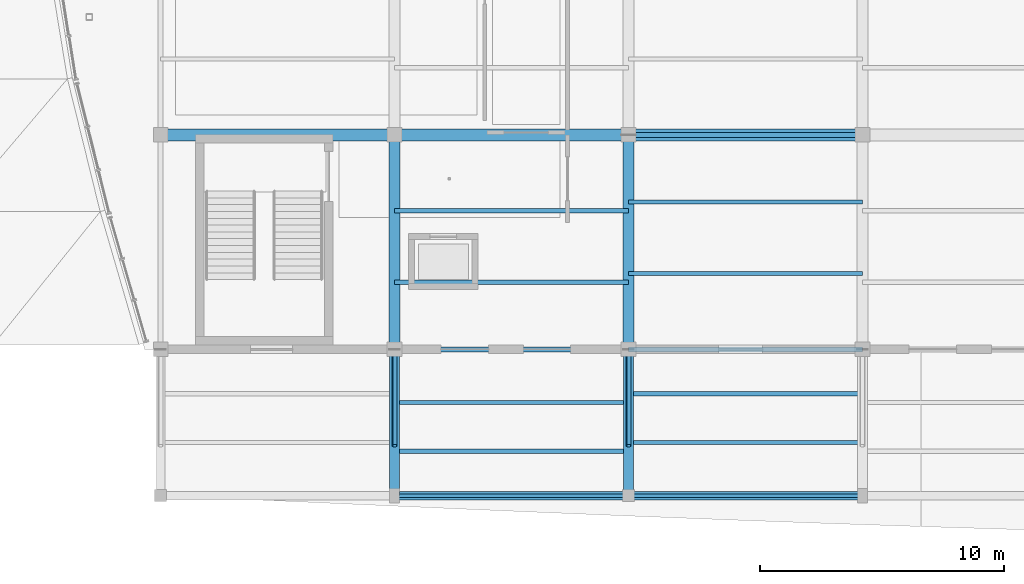
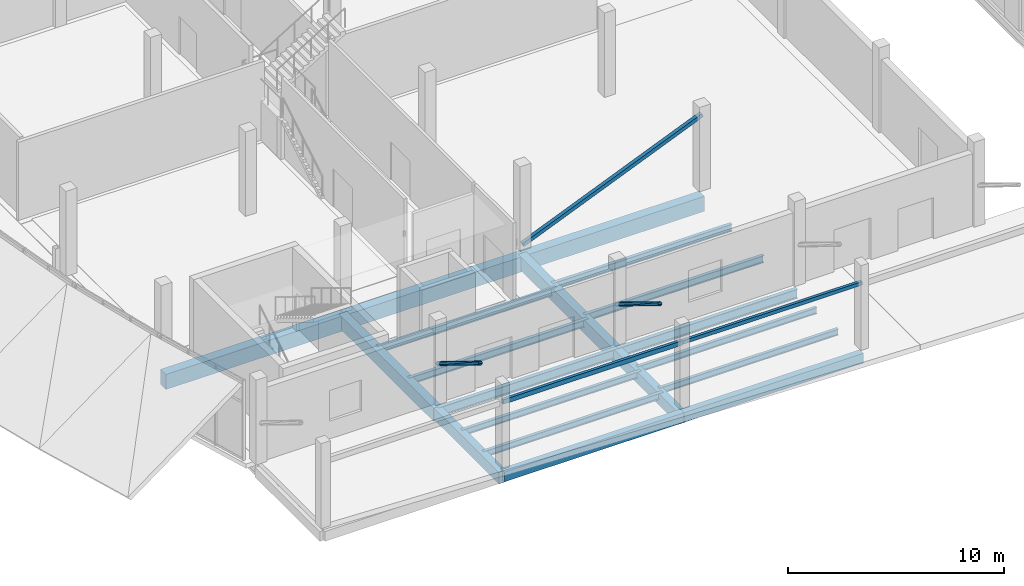
# One storey, part 18 of 116: 21 beams, 3 members.
"""IFC4 building model written with IfcOpenShell, lengths in metres."""

import ifcopenshell
import ifcopenshell.guid

model = None  # the IFC model being written
_history = None  # IfcOwnerHistory: only IFC2X3 demands one
_inside = {}  # id of a spatial element -> (the spatial element, [elements in it])
_under = {}  # id of a project, library or spatial element -> (it, [spatial elements below it])
_declared = {}  # id of a project -> (the project, [libraries it declares])
_typed = {}  # id of a type object -> (the type object, [elements of that type])
_made_of = {}  # id of a material, layer set ... -> (it, [elements and type objects made of it])


def new_model(schema):
    """Start an empty IFC model of exactly this schema.

    Asked for "IFC4X3", IfcOpenShell would pick the latest addendum, in which some entities
    have other attributes; the version numbers below select the first issue.
    IFC2X3 requires an IfcOwnerHistory on every rooted entity: one is made here for all.
    """
    global model, _history
    if schema == "IFC4X3":
        model = ifcopenshell.file(schema_version=(4, 3, 0, 0))
    else:
        model = ifcopenshell.file(schema=schema)
    _inside.clear()
    _under.clear()
    _declared.clear()
    _typed.clear()
    _made_of.clear()
    _history = None
    if model.schema == "IFC2X3":
        org = make("IfcOrganization", Name="unknown")
        user = make(
            "IfcPersonAndOrganization",
            ThePerson=make("IfcPerson", FamilyName="unknown"),
            TheOrganization=org,
        )
        app = make(
            "IfcApplication",
            ApplicationDeveloper=org,
            Version="unknown",
            ApplicationFullName="unknown",
            ApplicationIdentifier="unknown",
        )
        _history = make(
            "IfcOwnerHistory",
            OwningUser=user,
            OwningApplication=app,
            ChangeAction="ADDED",
            CreationDate=0,
        )
    return model


def make(cls, **values):
    """One entity of the class cls with the attributes given. An attribute that is None is left unset."""
    return model.create_entity(
        cls, **{name: value for name, value in values.items() if value is not None}
    )


def rooted(cls, **values):
    """An entity with a GlobalId (a new one), such as an element, a storey or a relation."""
    return make(cls, GlobalId=ifcopenshell.guid.new(), OwnerHistory=_history, **values)


def si_unit(unit_type, name, prefix=None):
    """IfcSIUnit, for example si_unit("LENGTHUNIT", "METRE", prefix="MILLI")."""
    return make("IfcSIUnit", UnitType=unit_type, Prefix=prefix, Name=name)


def assignment(units):
    """IfcUnitAssignment: the units of a project."""
    return None if units is None else make("IfcUnitAssignment", Units=units)


def point(xyz):
    """IfcCartesianPoint."""
    return None if xyz is None else make("IfcCartesianPoint", Coordinates=xyz)


def direction(xyz):
    """IfcDirection."""
    return None if xyz is None else make("IfcDirection", DirectionRatios=xyz)


def frame(location, z_axis=None, x_axis=None):
    """IfcAxis2Placement3D, a coordinate frame: its origin and axes. An axis left out is left unset."""
    return make(
        "IfcAxis2Placement3D",
        Location=point(location),
        Axis=direction(z_axis),
        RefDirection=direction(x_axis),
    )


def frame_2d(location, x_axis=None):
    """IfcAxis2Placement2D, a coordinate frame in the plane: its origin and x axis."""
    return make(
        "IfcAxis2Placement2D", Location=point(location), RefDirection=direction(x_axis)
    )


def origin():
    """The frame at (0, 0, 0) with its axes left unset."""
    return frame((0.0, 0.0, 0.0))


def origin_2d():
    """The frame at (0, 0) in the plane with its x axis left unset."""
    return frame_2d((0.0, 0.0))


def place(relative_to, where):
    """IfcLocalPlacement: puts the frame where relative to a parent placement (None: the world)."""
    return make(
        "IfcLocalPlacement", PlacementRelTo=relative_to, RelativePlacement=where
    )


def context(
    kind, dimensions, precision=None, world=None, true_north=None, identifier=None
):
    """IfcGeometricRepresentationContext, for example the 3D "Model" context."""
    return make(
        "IfcGeometricRepresentationContext",
        ContextIdentifier=identifier,
        ContextType=kind,
        CoordinateSpaceDimension=dimensions,
        Precision=precision,
        WorldCoordinateSystem=world,
        TrueNorth=true_north,
    )


def subcontext(parent, identifier, kind, view, scale=None):
    """IfcGeometricRepresentationSubContext, for example "Body" below "Model"."""
    return make(
        "IfcGeometricRepresentationSubContext",
        ContextIdentifier=identifier,
        ContextType=kind,
        ParentContext=parent,
        TargetScale=scale,
        TargetView=view,
    )


def project(units=None, contexts=None):
    """IfcProject with its units and contexts."""
    return rooted(
        "IfcProject",
        Name="project",
        RepresentationContexts=contexts,
        UnitsInContext=assignment(units),
    )


def spatial(cls, under=None, at=None, **own):
    """A site, building, storey or space (cls), placed at a placement, below another one or the project."""
    s = rooted(cls, ObjectPlacement=at, **own)
    if under is not None:
        _under.setdefault(under.id(), (under, []))[1].append(s)
    return s


def profile(cls, at=None, kind="AREA", **sizes):
    """A parametric profile (cls). Its sizes go by their IFC names, for example OverallWidth=200.0."""
    return make(cls, ProfileType=kind, Position=at, **sizes)


def rectangle(**sizes):
    """IfcRectangleProfileDef."""
    return profile("IfcRectangleProfileDef", **sizes)


def hollow_rectangle(**sizes):
    """IfcRectangleHollowProfileDef."""
    return profile("IfcRectangleHollowProfileDef", **sizes)


def hollow_circle(**sizes):
    """IfcCircleHollowProfileDef."""
    return profile("IfcCircleHollowProfileDef", **sizes)


def i_section(**sizes):
    """IfcIShapeProfileDef."""
    return profile("IfcIShapeProfileDef", **sizes)


def extrude(swept, where, along, depth):
    """IfcExtrudedAreaSolid: the profile swept, set in the frame where, extruded along a direction by depth."""
    return make(
        "IfcExtrudedAreaSolid",
        SweptArea=swept,
        Position=where,
        ExtrudedDirection=direction(along),
        Depth=depth,
    )


def shape(context_of_items, identifier, shape_type, items):
    """IfcShapeRepresentation: the items that make up one representation, for example the "Body"."""
    return make(
        "IfcShapeRepresentation",
        ContextOfItems=context_of_items,
        RepresentationIdentifier=identifier,
        RepresentationType=shape_type,
        Items=items,
    )


def material(Name=None, Category=None):
    """IfcMaterial."""
    return make("IfcMaterial", Name=Name, Category=Category)


def material_profile(
    of_material, cross_section, Name=None, Category=None, Priority=None
):
    """IfcMaterialProfile: a cross section and its material."""
    return make(
        "IfcMaterialProfile",
        Name=Name,
        Material=of_material,
        Profile=cross_section,
        Priority=Priority,
        Category=Category,
    )


def profile_set(profiles, Name=None, composite=None):
    """IfcMaterialProfileSet."""
    return make(
        "IfcMaterialProfileSet",
        Name=Name,
        MaterialProfiles=profiles,
        CompositeProfile=composite,
    )


def made_of(thing, what):
    """Note that an element or type object is made of a material, layer set ...; save() writes the relation."""
    if what is not None:
        _made_of.setdefault(what.id(), (what, []))[1].append(thing)
    return thing


def type_object(cls, material=None, **own):
    """A type object (cls), such as IfcWallType, which elements share."""
    return made_of(rooted(cls, **own), material)


def element(
    cls,
    number,
    at=None,
    inside=None,
    cuts=None,
    type_object=None,
    material=None,
    context=None,
    identifier="Body",
    shape_type=None,
    held_by="IfcProductDefinitionShape",
    body=None,
    shapes=None,
    **own,
):
    """One element of the class cls, such as IfcWall. Its Tag is "e" and its number.

    at: its placement. inside: the storey or other place that contains it. cuts: it is an
    opening in that element (IfcRelVoidsElement). A single representation is given by context,
    identifier, shape_type and body (its items); several are given by shapes. held_by: the class
    of the entity that holds the representations. save() writes the other relations.
    """
    e = rooted(cls, Tag="e%d" % number, ObjectPlacement=at, **own)
    if body is not None:
        shapes = [shape(context, identifier, shape_type, body)]
    if shapes is not None:
        e.Representation = make(held_by, Representations=shapes)
    if inside is not None:
        _inside.setdefault(inside.id(), (inside, []))[1].append(e)
    if cuts is not None:
        rooted(
            "IfcRelVoidsElement", RelatingBuildingElement=cuts, RelatedOpeningElement=e
        )
    if type_object is not None:
        _typed.setdefault(type_object.id(), (type_object, []))[1].append(e)
    return made_of(e, material)


def aggregate(whole, parts):
    """IfcRelAggregates: a whole, such as a stair, and the parts it consists of."""
    return rooted("IfcRelAggregates", RelatingObject=whole, RelatedObjects=parts)


def save(model, path):
    """Write the relations noted so far, then the file.

    IfcRelAggregates (storeys below a building ...), IfcRelContainedInSpatialStructure (elements
    in a storey), IfcRelDefinesByType, IfcRelAssociatesMaterial and IfcRelDeclares: one each for
    every whole, place, type object, material and project.
    """
    for whole, parts in _under.values():
        aggregate(whole, parts)
    for where, things in _inside.values():
        rooted(
            "IfcRelContainedInSpatialStructure",
            RelatedElements=things,
            RelatingStructure=where,
        )
    for kind, things in _typed.values():
        rooted("IfcRelDefinesByType", RelatedObjects=things, RelatingType=kind)
    for what, things in _made_of.values():
        rooted("IfcRelAssociatesMaterial", RelatedObjects=things, RelatingMaterial=what)
    for by, libraries in _declared.values():
        rooted("IfcRelDeclares", RelatingContext=by, RelatedDefinitions=libraries)
    model.write(path)


model = new_model("IFC4")

# Units and contexts
model_context = context("Model", 3, precision=1e-05, world=origin(), true_north=direction((0.0, 1.0)))
body_context = subcontext(model_context, "Body", "Model", "MODEL_VIEW")
ifc_project = project(units=[si_unit("LENGTHUNIT", "METRE"), si_unit("AREAUNIT", "SQUARE_METRE"), si_unit("VOLUMEUNIT", "CUBIC_METRE"), si_unit("PLANEANGLEUNIT", "RADIAN"), si_unit("MASSUNIT", "GRAM", prefix="KILO")], contexts=[model_context])

# Site, building, storey
site_placement = place(None, origin())
site = spatial("IfcSite", under=ifc_project, at=site_placement, CompositionType="ELEMENT")
building_placement = place(site_placement, origin())
building = spatial("IfcBuilding", under=site, at=building_placement, Name="Chalmorin Arch Market", CompositionType="ELEMENT")
storey_placement = place(building_placement, origin())
storey = spatial("IfcBuildingStorey", under=building, at=storey_placement, Name="L00", CompositionType="ELEMENT", Elevation=0.0)

# Beams
ifc_material_1 = material(Name="Concrete C40/50", Category="concrete")
ifc_material_profile_1 = material_profile(ifc_material_1, rectangle(XDim=0.449951171875, YDim=0.75, at=origin_2d()), Name="RC450X750")
ifc_profile_set_1 = profile_set([ifc_material_profile_1], Name="Concrete C40/50")
beam_type_1 = type_object("IfcBeamType", Name="BasementConcreteGirder-450x750", PredefinedType="BEAM", material=ifc_profile_set_1)
for number, where, z_axis, x_axis, name in (
    (1, (9.60009765625, 6.0, -0.72705078125), (0.0, 1.0, 0.0), (-1.0, 0.0, 0.0), "BG-RC2-0204"),
    (2, (19.199951171875, 6.0, -0.72705078125), (0.0, 1.0, 0.0), (-1.0, 0.0, 0.0), "BG-RC2-0219"),
):
    element("IfcBeam", number, at=place(storey_placement, frame(where, z_axis=z_axis, x_axis=x_axis)), inside=storey, type_object=beam_type_1, Name=name, PredefinedType="BEAM", context=body_context, shape_type="SweptSolid", body=[
        extrude(rectangle(XDim=0.449951171875, YDim=0.75, at=origin_2d()), origin(), (0.0, 0.0, 1.0), 8.800048828125),
    ])

# Members
ifc_material_2 = material(Name="Steel A500 Grade C", Category="steel")
ifc_material_profile_2 = material_profile(ifc_material_2, hollow_circle(Radius=0.109619140625, WallThickness=0.00830078125, at=origin_2d()), Name="CHS219X8")
ifc_profile_set_2 = profile_set([ifc_material_profile_2], Name="Steel A500 Grade C")
member_type_1 = type_object("IfcMemberType", Name="CanopyRakingStrut-CHS219", PredefinedType="STRUT", material=ifc_profile_set_2)
for number, where, z_axis, x_axis, name in (
    (3, (9.60009765625, 6.0, 2.10009765625), (0.0, -0.852698951307, 0.522402621012), (1.0, 0.0, 0.0), "ST-CH219-0002"),
    (4, (19.199951171875, 6.0, 2.10009765625), (0.0, -0.852698951307, 0.522402621012), (1.0, 0.0, 0.0), "ST-CH219-0003"),
):
    element("IfcMember", number, at=place(storey_placement, frame(where, z_axis=z_axis, x_axis=x_axis)), inside=storey, type_object=member_type_1, Name=name, PredefinedType="STRUT", context=body_context, shape_type="SweptSolid", body=[
        extrude(hollow_circle(Radius=0.109619140625, WallThickness=0.00830078125, at=origin_2d()), origin(), (0.0, 0.0, 1.0), 4.63232421875),
    ])
ifc_material_profile_3 = material_profile(ifc_material_2, hollow_rectangle(XDim=0.203125, YDim=0.203125, WallThickness=0.01171875, at=origin_2d()), Name="HSS8X8X1/2")
ifc_profile_set_3 = profile_set([ifc_material_profile_3], Name="Steel A500 Grade C")
member_type_2 = type_object("IfcMemberType", Name="LateralTubeBrace-HSS8X8", PredefinedType="BRACE", material=ifc_profile_set_3)
member_placement = place(storey_placement, frame((19.199951171875, 14.800048828125, 0.14990234375), z_axis=(0.923078312116, 0.0, 0.384612050905), x_axis=(0.0, 1.0, 0.0)))
element("IfcMember", 5, at=member_placement, inside=storey, type_object=member_type_2, Name="BR-HS8-0340", ObjectType="Diagonal brace", PredefinedType="BRACE", context=body_context, shape_type="SweptSolid", body=[
    extrude(hollow_rectangle(XDim=0.203125, YDim=0.203125, WallThickness=0.01171875, at=origin_2d()), origin(), (0.0, 0.0, 1.0), 10.400146484375),
])

# Beams
ifc_material_profile_4 = material_profile(ifc_material_1, rectangle(XDim=0.39990234375, YDim=0.64990234375, at=origin_2d()), Name="RC400X650")
ifc_profile_set_4 = profile_set([ifc_material_profile_4], Name="Concrete C40/50")
beam_type_2 = type_object("IfcBeamType", Name="MezzanineConcreteBeam-400x650", PredefinedType="BEAM", material=ifc_profile_set_4)
for number, where, z_axis, x_axis, name in (
    (6, (9.60009765625, 0.0, -0.677001953125), (0.0, 1.0, 0.0), (-1.0, 0.0, 0.0), "BM-RC3-0548"),
    (7, (19.199951171875, 0.0, -0.677001953125), (0.0, 1.0, 0.0), (-1.0, 0.0, 0.0), "BM-RC3-0550"),
):
    element("IfcBeam", number, at=place(storey_placement, frame(where, z_axis=z_axis, x_axis=x_axis)), inside=storey, type_object=beam_type_2, Name=name, PredefinedType="BEAM", context=body_context, shape_type="SweptSolid", body=[
        extrude(rectangle(XDim=0.39990234375, YDim=0.64990234375, at=origin_2d()), origin(), (0.0, 0.0, 1.0), 6.0),
    ])
ifc_material_profile_5 = material_profile(ifc_material_2, hollow_rectangle(XDim=0.15234375, YDim=0.25390625, WallThickness=0.0087890625, at=origin_2d()), Name="HSS10X6X3/8")
ifc_profile_set_5 = profile_set([ifc_material_profile_5], Name="Steel A500 Grade C")
beam_type_3 = type_object("IfcBeamType", Name="OpeningLintelBeam-HSS10X6", PredefinedType="LINTEL", material=ifc_profile_set_5)
beam_1_placement = place(storey_placement, frame((9.60009765625, 0.0, 3.60009765625), z_axis=(1.0, 0.0, 0.0), x_axis=(0.0, 1.0, 0.0)))
element("IfcBeam", 8, at=beam_1_placement, inside=storey, type_object=beam_type_3, Name="LN-01-1757", PredefinedType="LINTEL", context=body_context, shape_type="SweptSolid", body=[
    extrude(hollow_rectangle(XDim=0.15234375, YDim=0.25390625, WallThickness=0.0087890625, at=origin_2d()), origin(), (0.0, 0.0, 1.0), 9.599853515625),
])
ifc_material_profile_6 = material_profile(ifc_material_2, hollow_rectangle(XDim=0.15234375, YDim=0.203125, WallThickness=0.0087890625, at=origin_2d()), Name="HSS8X6X3/8")
ifc_profile_set_6 = profile_set([ifc_material_profile_6], Name="Steel A500 Grade C")
beam_type_4 = type_object("IfcBeamType", Name="OpeningLintelBeam-HSS8X6", PredefinedType="LINTEL", material=ifc_profile_set_6)
beam_2_placement = place(storey_placement, frame((19.199951171875, 0.0, 3.60009765625), z_axis=(1.0, 0.0, 0.0), x_axis=(0.0, 1.0, 0.0)))
element("IfcBeam", 9, at=beam_2_placement, inside=storey, type_object=beam_type_4, Name="LN-03-1758", PredefinedType="LINTEL", context=body_context, shape_type="SweptSolid", body=[
    extrude(hollow_rectangle(XDim=0.15234375, YDim=0.203125, WallThickness=0.0087890625, at=origin_2d()), origin(), (0.0, 0.0, 1.0), 9.60009765625),
])
ifc_material_3 = material(Name="Steel A992 Grade 50", Category="steel")
ifc_material_profile_7 = material_profile(ifc_material_3, i_section(OverallWidth=0.208984375, OverallDepth=0.532958984375, WebThickness=0.01025390625, FlangeThickness=0.015625, FilletRadius=0.02197265625, at=origin_2d()), Name="W21X62")
ifc_profile_set_7 = profile_set([ifc_material_profile_7], Name="Steel A992 Grade 50")
beam_type_5 = type_object("IfcBeamType", Name="PerimeterSpandrelBeam-W21X62", PredefinedType="SPANDREL", material=ifc_profile_set_7)
beam_3_placement = place(storey_placement, frame((9.60009765625, 6.0, -0.618408203125), z_axis=(1.0, 0.0, 0.0), x_axis=(0.0, 1.0, 0.0)))
element("IfcBeam", 10, at=beam_3_placement, inside=storey, type_object=beam_type_5, Name="SP-W21-0217", PredefinedType="SPANDREL", context=body_context, shape_type="SweptSolid", body=[
    extrude(i_section(OverallWidth=0.208984375, OverallDepth=0.532958984375, WebThickness=0.01025390625, FlangeThickness=0.015625, FilletRadius=0.02197265625, at=origin_2d()), origin(), (0.0, 0.0, 1.0), 9.599853515625),
])
beam_4_placement = place(storey_placement, frame((19.199951171875, 6.0, -0.618408203125), z_axis=(1.0, 0.0, 0.0), x_axis=(0.0, 1.0, 0.0)))
element("IfcBeam", 11, at=beam_4_placement, inside=storey, type_object=beam_type_5, Name="SP-W21-0228", PredefinedType="SPANDREL", context=body_context, shape_type="SweptSolid", body=[
    extrude(i_section(OverallWidth=0.208984375, OverallDepth=0.532958984375, WebThickness=0.01025390625, FlangeThickness=0.015625, FilletRadius=0.02197265625, at=origin_2d()), origin(), (0.0, 0.0, 1.0), 9.60009765625),
])
ifc_material_profile_8 = material_profile(ifc_material_1, rectangle(XDim=0.5, YDim=0.85009765625, at=origin_2d()), Name="RC500X850")
ifc_profile_set_8 = profile_set([ifc_material_profile_8], Name="Concrete C40/50")
beam_type_6 = type_object("IfcBeamType", Name="PlinthConcreteGirder-500x850", PredefinedType="BEAM", material=ifc_profile_set_8)
beam_5_placement = place(storey_placement, frame((0.0, 14.800048828125, -0.777099609375), z_axis=(1.0, 0.0, 0.0), x_axis=(0.0, 1.0, 0.0)))
element("IfcBeam", 12, at=beam_5_placement, inside=storey, type_object=beam_type_6, Name="BG-RC1-0202", PredefinedType="BEAM", context=body_context, shape_type="SweptSolid", body=[
    extrude(rectangle(XDim=0.5, YDim=0.85009765625, at=origin_2d()), origin(), (0.0, 0.0, 1.0), 9.60009765625),
])
beam_6_placement = place(storey_placement, frame((9.60009765625, 14.800048828125, -0.777099609375), z_axis=(1.0, 0.0, 0.0), x_axis=(0.0, 1.0, 0.0)))
element("IfcBeam", 13, at=beam_6_placement, inside=storey, type_object=beam_type_6, Name="BG-RC1-0218", PredefinedType="BEAM", context=body_context, shape_type="SweptSolid", body=[
    extrude(rectangle(XDim=0.5, YDim=0.85009765625, at=origin_2d()), origin(), (0.0, 0.0, 1.0), 9.599853515625),
])
beam_7_placement = place(storey_placement, frame((19.199951171875, 14.800048828125, -0.777099609375), z_axis=(1.0, 0.0, 0.0), x_axis=(0.0, 1.0, 0.0)))
element("IfcBeam", 14, at=beam_7_placement, inside=storey, type_object=beam_type_6, Name="BG-RC1-0229", PredefinedType="BEAM", context=body_context, shape_type="SweptSolid", body=[
    extrude(rectangle(XDim=0.5, YDim=0.85009765625, at=origin_2d()), origin(), (0.0, 0.0, 1.0), 9.60009765625),
])
ifc_material_profile_9 = material_profile(ifc_material_3, i_section(OverallWidth=0.1708984375, OverallDepth=0.35107421875, WebThickness=0.0068359375, FlangeThickness=0.009765625, FilletRadius=0.014892578125, at=origin_2d()), Name="W14X30")
ifc_profile_set_9 = profile_set([ifc_material_profile_9], Name="Steel A992 Grade 50")
beam_type_7 = type_object("IfcBeamType", Name="SecondaryFloorJoist-W14X30", PredefinedType="JOIST", material=ifc_profile_set_9)
for number, where, z_axis, x_axis, name in (
    (15, (9.60009765625, 1.820068359375, -0.4775390625), (1.0, 0.0, 0.0), (0.0, 1.0, 0.0), "BJ-W14-0576"),
    (16, (9.60009765625, 3.820068359375, -0.4775390625), (1.0, 0.0, 0.0), (0.0, 1.0, 0.0), "BJ-W14-0577"),
):
    element("IfcBeam", number, at=place(storey_placement, frame(where, z_axis=z_axis, x_axis=x_axis)), inside=storey, type_object=beam_type_7, Name=name, PredefinedType="JOIST", context=body_context, shape_type="SweptSolid", body=[
        extrude(i_section(OverallWidth=0.1708984375, OverallDepth=0.35107421875, WebThickness=0.0068359375, FlangeThickness=0.009765625, FilletRadius=0.014892578125, at=origin_2d()), origin(), (0.0, 0.0, 1.0), 9.599853515625),
    ])
for number, where, z_axis, x_axis, name in (
    (17, (19.199951171875, 2.179931640625, -0.4775390625), (1.0, 0.0, 0.0), (0.0, 1.0, 0.0), "BJ-W14-0578"),
    (18, (19.199951171875, 4.179931640625, -0.4775390625), (1.0, 0.0, 0.0), (0.0, 1.0, 0.0), "BJ-W14-0579"),
):
    element("IfcBeam", number, at=place(storey_placement, frame(where, z_axis=z_axis, x_axis=x_axis)), inside=storey, type_object=beam_type_7, Name=name, PredefinedType="JOIST", context=body_context, shape_type="SweptSolid", body=[
        extrude(i_section(OverallWidth=0.1708984375, OverallDepth=0.35107421875, WebThickness=0.0068359375, FlangeThickness=0.009765625, FilletRadius=0.014892578125, at=origin_2d()), origin(), (0.0, 0.0, 1.0), 9.60009765625),
    ])
ifc_material_profile_10 = material_profile(ifc_material_3, i_section(OverallWidth=0.177978515625, OverallDepth=0.403076171875, WebThickness=0.007568359375, FlangeThickness=0.010986328125, FilletRadius=0.01806640625, at=origin_2d()), Name="W16X36")
ifc_profile_set_10 = profile_set([ifc_material_profile_10], Name="Steel A992 Grade 50")
beam_type_8 = type_object("IfcBeamType", Name="SecondaryFloorJoist-W16X36", PredefinedType="JOIST", material=ifc_profile_set_10)
for number, where, z_axis, x_axis, name in (
    (19, (9.60009765625, 8.75341796875, -0.553466796875), (1.0, 0.0, 0.0), (0.0, 1.0, 0.0), "BJ-W16B-0258"),
    (20, (9.60009765625, 11.686767578125, -0.553466796875), (1.0, 0.0, 0.0), (0.0, 1.0, 0.0), "BJ-W16B-0259"),
):
    element("IfcBeam", number, at=place(storey_placement, frame(where, z_axis=z_axis, x_axis=x_axis)), inside=storey, type_object=beam_type_8, Name=name, PredefinedType="JOIST", context=body_context, shape_type="SweptSolid", body=[
        extrude(i_section(OverallWidth=0.177978515625, OverallDepth=0.403076171875, WebThickness=0.007568359375, FlangeThickness=0.010986328125, FilletRadius=0.01806640625, at=origin_2d()), origin(), (0.0, 0.0, 1.0), 9.599853515625),
    ])
for number, where, z_axis, x_axis, name in (
    (21, (19.199951171875, 9.11328125, -0.553466796875), (1.0, 0.0, 0.0), (0.0, 1.0, 0.0), "BJ-W16B-0268"),
    (22, (19.199951171875, 12.046630859375, -0.553466796875), (1.0, 0.0, 0.0), (0.0, 1.0, 0.0), "BJ-W16B-0269"),
):
    element("IfcBeam", number, at=place(storey_placement, frame(where, z_axis=z_axis, x_axis=x_axis)), inside=storey, type_object=beam_type_8, Name=name, PredefinedType="JOIST", context=body_context, shape_type="SweptSolid", body=[
        extrude(i_section(OverallWidth=0.177978515625, OverallDepth=0.403076171875, WebThickness=0.007568359375, FlangeThickness=0.010986328125, FilletRadius=0.01806640625, at=origin_2d()), origin(), (0.0, 0.0, 1.0), 9.60009765625),
    ])
ifc_material_profile_11 = material_profile(ifc_material_1, rectangle(XDim=0.35009765625, YDim=0.550048828125, at=origin_2d()), Name="RC350X550")
ifc_profile_set_11 = profile_set([ifc_material_profile_11], Name="Concrete C40/50")
beam_type_9 = type_object("IfcBeamType", Name="TerraceEdgeBeam-350x550", PredefinedType="SPANDREL", material=ifc_profile_set_11)
beam_8_placement = place(storey_placement, frame((9.60009765625, 0.0, -0.576904296875), z_axis=(1.0, 0.0, 0.0), x_axis=(0.0, 1.0, 0.0)))
element("IfcBeam", 23, at=beam_8_placement, inside=storey, type_object=beam_type_9, Name="SP-RC1-0549", PredefinedType="SPANDREL", context=body_context, shape_type="SweptSolid", body=[
    extrude(rectangle(XDim=0.35009765625, YDim=0.550048828125, at=origin_2d()), origin(), (0.0, 0.0, 1.0), 9.599853515625),
])
beam_9_placement = place(storey_placement, frame((19.199951171875, 0.0, -0.576904296875), z_axis=(1.0, 0.0, 0.0), x_axis=(0.0, 1.0, 0.0)))
element("IfcBeam", 24, at=beam_9_placement, inside=storey, type_object=beam_type_9, Name="SP-RC1-0551", PredefinedType="SPANDREL", context=body_context, shape_type="SweptSolid", body=[
    extrude(rectangle(XDim=0.35009765625, YDim=0.550048828125, at=origin_2d()), origin(), (0.0, 0.0, 1.0), 9.60009765625),
])

save(model, "model.ifc")
